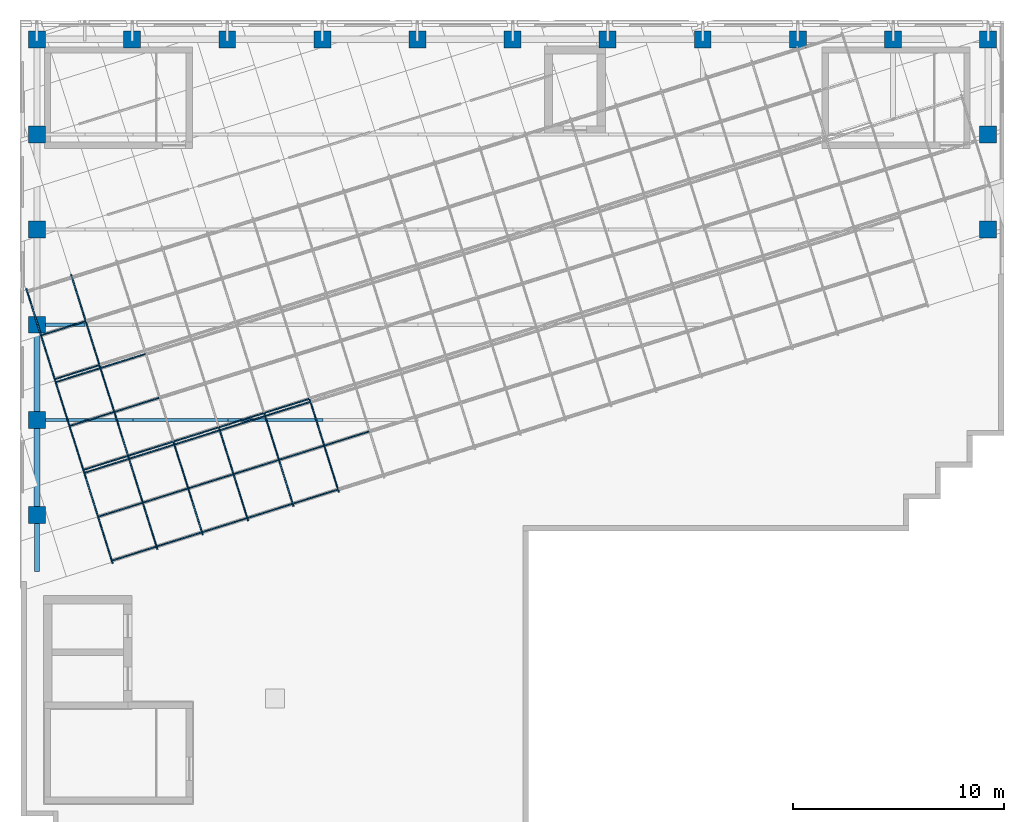
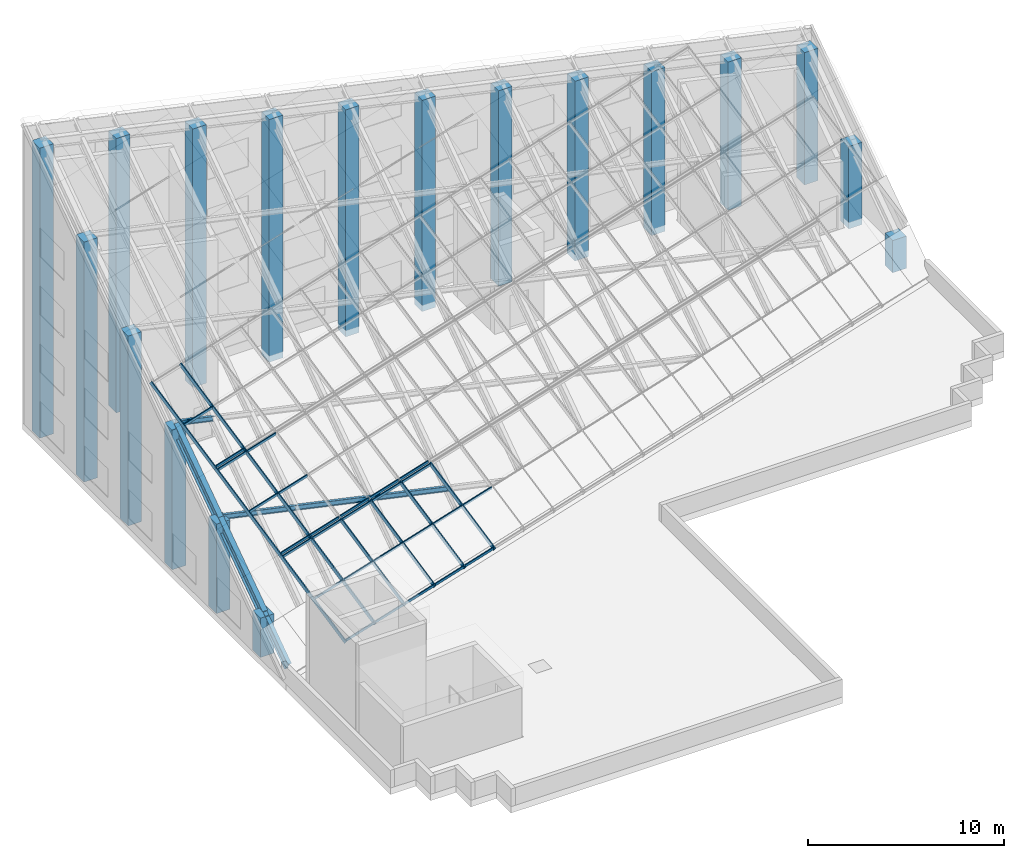
# One storey, part 1 of 14: 45 members, 18 columns, 3 elements without a shape of their own.
"""IFC4 building model written with IfcOpenShell, lengths in metres."""

from ifc_helpers import new_model, si_unit, direction, frame, origin, origin_2d, place, context, subcontext, project, spatial, rectangle, i_section, extrude, material, material_profile, profile_set, type_object, element, aggregate, save


model = new_model("IFC4")

# Units and contexts
model_context = context("Model", 3, precision=1e-05, world=origin(), true_north=direction((0.0, 1.0)))
body_context = subcontext(model_context, "Body", "Model", "MODEL_VIEW")
ifc_project = project(units=[si_unit("LENGTHUNIT", "METRE"), si_unit("AREAUNIT", "SQUARE_METRE"), si_unit("VOLUMEUNIT", "CUBIC_METRE"), si_unit("PLANEANGLEUNIT", "RADIAN"), si_unit("MASSUNIT", "GRAM", prefix="KILO")], contexts=[model_context])

# Site, building, storey
site_placement = place(None, origin())
site = spatial("IfcSite", under=ifc_project, at=site_placement, CompositionType="ELEMENT")
building_placement = place(site_placement, origin())
building = spatial("IfcBuilding", under=site, at=building_placement, Name="Firuza Court", CompositionType="ELEMENT")
storey_placement = place(building_placement, frame((0.0, 0.0, 266.199951171875)))
storey = spatial("IfcBuildingStorey", under=building, at=storey_placement, Name="L68 Crown", CompositionType="ELEMENT", Elevation=266.199951171875)

# Columns
ifc_material_1 = material(Name="Concrete C50/60", Category="concrete")
ifc_material_profile_1 = material_profile(ifc_material_1, rectangle(XDim=0.800048828125, YDim=0.800048828125, at=origin_2d()), Name="RC 800x800")
ifc_profile_set_1 = profile_set([ifc_material_profile_1], Name="Concrete C50/60")
column_type = type_object("IfcColumnType", Name="Tube column RC 800x800 C50/60", PredefinedType="COLUMN", material=ifc_profile_set_1)
column_1_placement = place(storey_placement, frame((0.0, 36.0, -0.39990234375), z_axis=(0.0, 0.0, 1.0), x_axis=(1.0, 0.0, 0.0)))
element("IfcColumn", 1, at=column_1_placement, inside=storey, type_object=column_type, Name="Column C-1M L68", PredefinedType="COLUMN", context=body_context, shape_type="SweptSolid", body=[
    extrude(rectangle(XDim=0.800048828125, YDim=0.800048828125, at=origin_2d()), origin(), (0.0, 0.0, 1.0), 2.451416015625),
])
column_2_placement = place(storey_placement, frame((0.0, 40.5, -0.39990234375), z_axis=(0.0, 0.0, 1.0), x_axis=(1.0, 0.0, 0.0)))
element("IfcColumn", 2, at=column_2_placement, inside=storey, type_object=column_type, Name="Column C-1N L68", PredefinedType="COLUMN", context=body_context, shape_type="SweptSolid", body=[
    extrude(rectangle(XDim=0.800048828125, YDim=0.800048828125, at=origin_2d()), origin(), (0.0, 0.0, 1.0), 5.5703125),
])
column_3_placement = place(storey_placement, frame((0.0, 45.0, -0.39990234375), z_axis=(0.0, 0.0, 1.0), x_axis=(1.0, 0.0, 0.0)))
element("IfcColumn", 3, at=column_3_placement, inside=storey, type_object=column_type, Name="Column C-1P L68", PredefinedType="COLUMN", context=body_context, shape_type="SweptSolid", body=[
    extrude(rectangle(XDim=0.800048828125, YDim=0.800048828125, at=origin_2d()), origin(), (0.0, 0.0, 1.0), 8.689208984375),
])
column_4_placement = place(storey_placement, frame((0.0, 49.5, -0.39990234375), z_axis=(0.0, 0.0, 1.0), x_axis=(1.0, 0.0, 0.0)))
element("IfcColumn", 4, at=column_4_placement, inside=storey, type_object=column_type, Name="Column C-1Q L68", PredefinedType="COLUMN", context=body_context, shape_type="SweptSolid", body=[
    extrude(rectangle(XDim=0.800048828125, YDim=0.800048828125, at=origin_2d()), origin(), (0.0, 0.0, 1.0), 11.80810546875),
])
column_5_placement = place(storey_placement, frame((45.0, 49.5, -0.39990234375), z_axis=(0.0, 0.0, 1.0), x_axis=(1.0, 0.0, 0.0)))
element("IfcColumn", 5, at=column_5_placement, inside=storey, type_object=column_type, Name="Column C-11Q L68", PredefinedType="COLUMN", context=body_context, shape_type="SweptSolid", body=[
    extrude(rectangle(XDim=0.800048828125, YDim=0.800048828125, at=origin_2d()), origin(), (0.0, 0.0, 1.0), 2.00048828125),
])
column_6_placement = place(storey_placement, frame((0.0, 54.0, -0.39990234375), z_axis=(0.0, 0.0, 1.0), x_axis=(1.0, 0.0, 0.0)))
element("IfcColumn", 6, at=column_6_placement, inside=storey, type_object=column_type, Name="Column C-1R L68", PredefinedType="COLUMN", context=body_context, shape_type="SweptSolid", body=[
    extrude(rectangle(XDim=0.800048828125, YDim=0.800048828125, at=origin_2d()), origin(), (0.0, 0.0, 1.0), 14.927001953125),
])
column_7_placement = place(storey_placement, frame((45.0, 54.0, -0.39990234375), z_axis=(0.0, 0.0, 1.0), x_axis=(1.0, 0.0, 0.0)))
element("IfcColumn", 7, at=column_7_placement, inside=storey, type_object=column_type, Name="Column C-11R L68", PredefinedType="COLUMN", context=body_context, shape_type="SweptSolid", body=[
    extrude(rectangle(XDim=0.800048828125, YDim=0.800048828125, at=origin_2d()), origin(), (0.0, 0.0, 1.0), 5.119140625),
])
column_8_placement = place(storey_placement, frame((0.0, 58.5, -0.39990234375), z_axis=(0.0, 0.0, 1.0), x_axis=(1.0, 0.0, 0.0)))
element("IfcColumn", 8, at=column_8_placement, inside=storey, type_object=column_type, Name="Column C-1S L68", PredefinedType="COLUMN", context=body_context, shape_type="SweptSolid", body=[
    extrude(rectangle(XDim=0.800048828125, YDim=0.800048828125, at=origin_2d()), origin(), (0.0, 0.0, 1.0), 18.0458984375),
])
column_9_placement = place(storey_placement, frame((4.5, 58.5, -0.39990234375), z_axis=(0.0, 0.0, 1.0), x_axis=(1.0, 0.0, 0.0)))
element("IfcColumn", 9, at=column_9_placement, inside=storey, type_object=column_type, Name="Column C-2S L68", PredefinedType="COLUMN", context=body_context, shape_type="SweptSolid", body=[
    extrude(rectangle(XDim=0.800048828125, YDim=0.800048828125, at=origin_2d()), origin(), (0.0, 0.0, 1.0), 17.065185546875),
])
column_10_placement = place(storey_placement, frame((9.0, 58.5, -0.39990234375), z_axis=(0.0, 0.0, 1.0), x_axis=(1.0, 0.0, 0.0)))
element("IfcColumn", 10, at=column_10_placement, inside=storey, type_object=column_type, Name="Column C-3S L68", PredefinedType="COLUMN", context=body_context, shape_type="SweptSolid", body=[
    extrude(rectangle(XDim=0.800048828125, YDim=0.800048828125, at=origin_2d()), origin(), (0.0, 0.0, 1.0), 16.084228515625),
])
column_11_placement = place(storey_placement, frame((13.5, 58.5, -0.39990234375), z_axis=(0.0, 0.0, 1.0), x_axis=(1.0, 0.0, 0.0)))
element("IfcColumn", 11, at=column_11_placement, inside=storey, type_object=column_type, Name="Column C-4S L68", PredefinedType="COLUMN", context=body_context, shape_type="SweptSolid", body=[
    extrude(rectangle(XDim=0.800048828125, YDim=0.800048828125, at=origin_2d()), origin(), (0.0, 0.0, 1.0), 15.103515625),
])
column_12_placement = place(storey_placement, frame((18.0, 58.5, -0.39990234375), z_axis=(0.0, 0.0, 1.0), x_axis=(1.0, 0.0, 0.0)))
element("IfcColumn", 12, at=column_12_placement, inside=storey, type_object=column_type, Name="Column C-5S L68", PredefinedType="COLUMN", context=body_context, shape_type="SweptSolid", body=[
    extrude(rectangle(XDim=0.800048828125, YDim=0.800048828125, at=origin_2d()), origin(), (0.0, 0.0, 1.0), 14.122802734375),
])
column_13_placement = place(storey_placement, frame((22.5, 58.5, -0.39990234375), z_axis=(0.0, 0.0, 1.0), x_axis=(1.0, 0.0, 0.0)))
element("IfcColumn", 13, at=column_13_placement, inside=storey, type_object=column_type, Name="Column C-6S L68", PredefinedType="COLUMN", context=body_context, shape_type="SweptSolid", body=[
    extrude(rectangle(XDim=0.800048828125, YDim=0.800048828125, at=origin_2d()), origin(), (0.0, 0.0, 1.0), 13.14208984375),
])
column_14_placement = place(storey_placement, frame((27.0, 58.5, -0.39990234375), z_axis=(0.0, 0.0, 1.0), x_axis=(1.0, 0.0, 0.0)))
element("IfcColumn", 14, at=column_14_placement, inside=storey, type_object=column_type, Name="Column C-7S L68", PredefinedType="COLUMN", context=body_context, shape_type="SweptSolid", body=[
    extrude(rectangle(XDim=0.800048828125, YDim=0.800048828125, at=origin_2d()), origin(), (0.0, 0.0, 1.0), 12.1611328125),
])
column_15_placement = place(storey_placement, frame((31.5, 58.5, -0.39990234375), z_axis=(0.0, 0.0, 1.0), x_axis=(1.0, 0.0, 0.0)))
element("IfcColumn", 15, at=column_15_placement, inside=storey, type_object=column_type, Name="Column C-8S L68", PredefinedType="COLUMN", context=body_context, shape_type="SweptSolid", body=[
    extrude(rectangle(XDim=0.800048828125, YDim=0.800048828125, at=origin_2d()), origin(), (0.0, 0.0, 1.0), 11.180419921875),
])
column_16_placement = place(storey_placement, frame((36.0, 58.5, -0.39990234375), z_axis=(0.0, 0.0, 1.0), x_axis=(1.0, 0.0, 0.0)))
element("IfcColumn", 16, at=column_16_placement, inside=storey, type_object=column_type, Name="Column C-9S L68", PredefinedType="COLUMN", context=body_context, shape_type="SweptSolid", body=[
    extrude(rectangle(XDim=0.800048828125, YDim=0.800048828125, at=origin_2d()), origin(), (0.0, 0.0, 1.0), 10.19970703125),
])
column_17_placement = place(storey_placement, frame((40.5, 58.5, -0.39990234375), z_axis=(0.0, 0.0, 1.0), x_axis=(1.0, 0.0, 0.0)))
element("IfcColumn", 17, at=column_17_placement, inside=storey, type_object=column_type, Name="Column C-10S L68", PredefinedType="COLUMN", context=body_context, shape_type="SweptSolid", body=[
    extrude(rectangle(XDim=0.800048828125, YDim=0.800048828125, at=origin_2d()), origin(), (0.0, 0.0, 1.0), 9.218994140625),
])
column_18_placement = place(storey_placement, frame((45.0, 58.5, -0.39990234375), z_axis=(0.0, 0.0, 1.0), x_axis=(1.0, 0.0, 0.0)))
element("IfcColumn", 18, at=column_18_placement, inside=storey, type_object=column_type, Name="Column C-11S L68", PredefinedType="COLUMN", context=body_context, shape_type="SweptSolid", body=[
    extrude(rectangle(XDim=0.800048828125, YDim=0.800048828125, at=origin_2d()), origin(), (0.0, 0.0, 1.0), 8.238037109375),
])

# Members
ifc_material_2 = material(Name="Steel S355", Category="steel")
ifc_material_profile_2 = material_profile(ifc_material_2, i_section(OverallWidth=0.14990234375, OverallDepth=0.300048828125, WebThickness=0.007080078125, FlangeThickness=0.0107421875, FilletRadius=0.014892578125, at=origin_2d()), Name="IPE 300")
ifc_profile_set_2 = profile_set([ifc_material_profile_2], Name="Steel S355")
member_type_1 = type_object("IfcMemberType", Name="Crown purlin IPE 300 S355", PredefinedType="PURLIN", material=ifc_profile_set_2)
for number, where, z_axis, x_axis, name in (
    (19, (0.0, 40.5, 5.244873046875), (0.97707674371, 0.0, -0.212887380791), (0.0, 1.0, 0.0), "Crown frame purlin"),
    (20, (2.25, 40.5, 4.754638671875), (0.977054686112, 0.0, -0.212988592057), (0.0, 1.0, 0.0), "Crown frame purlin"),
):
    element("IfcMember", number, at=place(storey_placement, frame(where, z_axis=z_axis, x_axis=x_axis)), inside=storey, type_object=member_type_1, Name=name, PredefinedType="PURLIN", context=body_context, shape_type="SweptSolid", body=[
        extrude(i_section(OverallWidth=0.14990234375, OverallDepth=0.300048828125, WebThickness=0.007080078125, FlangeThickness=0.0107421875, FilletRadius=0.014892578125, at=origin_2d()), origin(), (0.0, 0.0, 1.0), 2.302734375),
    ])
for number, where, z_axis, x_axis, name in (
    (21, (4.5, 40.5, 4.26416015625), (0.977065716097, 0.0, -0.212937987281), (0.0, 1.0, 0.0), "Crown frame purlin"),
    (22, (9.0, 40.5, 3.283447265625), (0.977065716097, 0.0, -0.212937987281), (0.0, 1.0, 0.0), "Crown frame purlin"),
):
    element("IfcMember", number, at=place(storey_placement, frame(where, z_axis=z_axis, x_axis=x_axis)), inside=storey, type_object=member_type_1, Name=name, PredefinedType="PURLIN", context=body_context, shape_type="SweptSolid", body=[
        extrude(i_section(OverallWidth=0.14990234375, OverallDepth=0.300048828125, WebThickness=0.007080078125, FlangeThickness=0.0107421875, FilletRadius=0.014892578125, at=origin_2d()), origin(), (0.0, 0.0, 1.0), 4.605712890625),
    ])
member_1_placement = place(storey_placement, frame((0.0, 45.0, 8.36376953125), z_axis=(0.97707674371, 0.0, -0.212887380791), x_axis=(0.0, 1.0, 0.0)))
element("IfcMember", 23, at=member_1_placement, inside=storey, type_object=member_type_1, Name="Crown frame purlin", PredefinedType="PURLIN", context=body_context, shape_type="SweptSolid", body=[
    extrude(i_section(OverallWidth=0.14990234375, OverallDepth=0.300048828125, WebThickness=0.007080078125, FlangeThickness=0.0107421875, FilletRadius=0.014892578125, at=origin_2d()), origin(), (0.0, 0.0, 1.0), 2.302734375),
])
ifc_material_3 = material(Name="Steel S355", Category="steel")
ifc_material_profile_3 = material_profile(ifc_material_3, i_section(OverallWidth=0.219970703125, OverallDepth=0.60009765625, WebThickness=0.011962890625, FlangeThickness=0.01904296875, FilletRadius=0.02392578125, at=origin_2d()), Name="IPE 600")
ifc_profile_set_3 = profile_set([ifc_material_profile_3], Name="Steel S355")
member_type_2 = type_object("IfcMemberType", Name="Crown rafter IPE 600 S355", PredefinedType="RAFTER", material=ifc_profile_set_3)
member_2_placement = place(storey_placement, frame((0.0, 33.489501953125, 0.20263671875), z_axis=(0.0, 0.821892830064, 0.56964214722), x_axis=(-1.0, 0.0, 0.0)))
element("IfcMember", 24, at=member_2_placement, inside=storey, type_object=member_type_2, Name="Crown frame rafter", PredefinedType="RAFTER", context=body_context, shape_type="SweptSolid", body=[
    extrude(i_section(OverallWidth=0.219970703125, OverallDepth=0.60009765625, WebThickness=0.011962890625, FlangeThickness=0.01904296875, FilletRadius=0.02392578125, at=origin_2d()), origin(), (0.0, 0.0, 1.0), 3.054443359375),
])
ifc_material_4 = material(Name="Steel S355", Category="steel")
ifc_material_profile_4 = material_profile(ifc_material_4, i_section(OverallWidth=0.300048828125, OverallDepth=0.60009765625, WebThickness=0.015380859375, FlangeThickness=0.030029296875, FilletRadius=0.027099609375, at=origin_2d()), Name="HE 600 B")
ifc_profile_set_4 = profile_set([ifc_material_profile_4], Name="Steel S355")
member_type_3 = type_object("IfcMemberType", Name="Crown ring beam HE 600 B S355", PredefinedType="MEMBER", material=ifc_profile_set_4)
for number, where, z_axis, x_axis, name in (
    (25, (0.0, 45.0, 8.224365234375), (0.0, -0.821891894139, -0.569643497592), (1.0, 0.0, 0.0), "Crown frame ring beam"),
    (26, (0.0, 40.5, 5.10546875), (0.0, -0.821891894139, -0.569643497592), (1.0, 0.0, 0.0), "Crown frame ring beam"),
):
    element("IfcMember", number, at=place(storey_placement, frame(where, z_axis=z_axis, x_axis=x_axis)), inside=storey, type_object=member_type_3, Name=name, PredefinedType="MEMBER", context=body_context, shape_type="SweptSolid", body=[
        extrude(i_section(OverallWidth=0.300048828125, OverallDepth=0.60009765625, WebThickness=0.015380859375, FlangeThickness=0.030029296875, FilletRadius=0.027099609375, at=origin_2d()), origin(), (0.0, 0.0, 1.0), 5.47509765625),
    ])

# Curtain wall, members
ifc_material_5 = material(Name="Aluminium curtain wall, triple clear glazing", Category="aluminium")
curtain_wall_type = type_object("IfcCurtainWallType", Name="Crown sloped structural glazing CW5", PredefinedType="NOTDEFINED", material=ifc_material_5)
curtain_wall_1_placement = place(storey_placement, origin())
curtain_wall_1 = element("IfcCurtainWall", 27, at=curtain_wall_1_placement, inside=storey, type_object=curtain_wall_type, Name="Crown sloped structural glazing CW5 1.1", PredefinedType="NOTDEFINED")
ifc_material_6 = material(Name="Aluminium EN AW-6060 T66", Category="aluminium")
ifc_material_profile_5 = material_profile(ifc_material_6, rectangle(XDim=0.06005859375, YDim=0.219970703125, at=origin_2d()), Name="Mullion 220 x 60 CW5")
ifc_profile_set_5 = profile_set([ifc_material_profile_5], Name="Aluminium EN AW-6060 T66")
member_type_4 = type_object("IfcMemberType", Name="Mullion 220 x 60 CW5", PredefinedType="MULLION", material=ifc_profile_set_5)
member_3_placement = place(storey_placement, frame((14.26708984375, 37.1357421875, 0.26416015625), z_axis=(-0.242725638095, 0.771762187092, 0.587764741361), x_axis=(-0.953932954767, -0.300019862359, 0.0)))
member_3 = element("IfcMember", 28, at=member_3_placement, type_object=member_type_4, Name="CW5 mullion 14", PredefinedType="MULLION", context=body_context, shape_type="SweptSolid", body=[
    extrude(rectangle(XDim=0.06005859375, YDim=0.219970703125, at=origin_2d()), origin(), (0.0, 0.0, 1.0), 5.562255859375),
])
member_4_placement = place(storey_placement, frame((12.12060546875, 36.460693359375, 0.26416015625), z_axis=(-0.242684330874, 0.771770408711, 0.587771002846), x_axis=(-0.953948480927, -0.299970491443, 0.0)))
member_4 = element("IfcMember", 29, at=member_4_placement, type_object=member_type_4, Name="CW5 mullion 15", PredefinedType="MULLION", context=body_context, shape_type="SweptSolid", body=[
    extrude(rectangle(XDim=0.06005859375, YDim=0.219970703125, at=origin_2d()), origin(), (0.0, 0.0, 1.0), 5.562255859375),
])
member_5_placement = place(storey_placement, frame((9.974365234375, 35.78564453125, 0.26416015625), z_axis=(-0.242717416048, 0.771779935585, 0.587744831518), x_axis=(-0.953937837817, -0.300004335938, 0.0)))
member_5 = element("IfcMember", 30, at=member_5_placement, type_object=member_type_4, Name="CW5 mullion 16", PredefinedType="MULLION", context=body_context, shape_type="SweptSolid", body=[
    extrude(rectangle(XDim=0.06005859375, YDim=0.219970703125, at=origin_2d()), origin(), (0.0, 0.0, 1.0), 5.5625),
])
member_6_placement = place(storey_placement, frame((7.827880859375, 35.11083984375, 0.26416015625), z_axis=(-0.242684330874, 0.771770408711, 0.587771002846), x_axis=(-0.953948480927, -0.299970491443, 0.0)))
member_6 = element("IfcMember", 31, at=member_6_placement, type_object=member_type_4, Name="CW5 mullion 17", PredefinedType="MULLION", context=body_context, shape_type="SweptSolid", body=[
    extrude(rectangle(XDim=0.06005859375, YDim=0.219970703125, at=origin_2d()), origin(), (0.0, 0.0, 1.0), 5.562255859375),
])
member_7_placement = place(storey_placement, frame((5.681396484375, 34.435791015625, 0.26416015625), z_axis=(-0.242684330874, 0.771770408711, 0.587771002846), x_axis=(-0.953948480927, -0.299970491443, 0.0)))
member_7 = element("IfcMember", 32, at=member_7_placement, type_object=member_type_4, Name="CW5 mullion 18", PredefinedType="MULLION", context=body_context, shape_type="SweptSolid", body=[
    extrude(rectangle(XDim=0.06005859375, YDim=0.219970703125, at=origin_2d()), origin(), (0.0, 0.0, 1.0), 5.562255859375),
])
member_8_placement = place(storey_placement, frame((3.563720703125, 33.77001953125, 0.26416015625), z_axis=(-0.242692552065, 0.771752658782, 0.587790914216), x_axis=(-0.953943598647, -0.299986017343, 0.0)))
member_8 = element("IfcMember", 33, at=member_8_placement, type_object=member_type_4, Name="CW5 mullion 19", PredefinedType="MULLION", context=body_context, shape_type="SweptSolid", body=[
    extrude(rectangle(XDim=0.06005859375, YDim=0.219970703125, at=origin_2d()), origin(), (0.0, 0.0, 1.0), 5.56201171875),
])

curtain_wall_2_placement = place(storey_placement, origin())
curtain_wall_2 = element("IfcCurtainWall", 34, at=curtain_wall_2_placement, inside=storey, type_object=curtain_wall_type, Name="Crown sloped structural glazing CW5 2.1", PredefinedType="NOTDEFINED")
member_9_placement = place(storey_placement, frame((4.33154296875, 38.728515625, 3.533447265625), z_axis=(-0.242678069863, 0.771750497813, 0.587799730803), x_axis=(-0.953948480927, -0.299970491443, 0.0)))
member_9 = element("IfcMember", 35, at=member_9_placement, type_object=member_type_4, Name="CW5 mullion 20", PredefinedType="MULLION", context=body_context, shape_type="SweptSolid", body=[
    extrude(rectangle(XDim=0.06005859375, YDim=0.219970703125, at=origin_2d()), origin(), (0.0, 0.0, 1.0), 5.562255859375),
])
member_10_placement = place(storey_placement, frame((2.2138671875, 38.0625, 3.533447265625), z_axis=(-0.242669849677, 0.771768246829, 0.587779820378), x_axis=(-0.95395336245, -0.299954967071, 0.0)))
member_10 = element("IfcMember", 36, at=member_10_placement, type_object=member_type_4, Name="CW5 mullion 21", PredefinedType="MULLION", context=body_context, shape_type="SweptSolid", body=[
    extrude(rectangle(XDim=0.06005859375, YDim=0.219970703125, at=origin_2d()), origin(), (0.0, 0.0, 1.0), 5.5625),
])

curtain_wall_3_placement = place(storey_placement, origin())
curtain_wall_3 = element("IfcCurtainWall", 37, at=curtain_wall_3_placement, inside=storey, type_object=curtain_wall_type, Name="Crown sloped structural glazing CW5 3.1", PredefinedType="NOTDEFINED")
member_11_placement = place(storey_placement, frame((2.981689453125, 43.021240234375, 6.802978515625), z_axis=(-0.242669849677, 0.771768246829, 0.587779820378), x_axis=(-0.95395336245, -0.299954967071, 0.0)))
member_11 = element("IfcMember", 38, at=member_11_placement, type_object=member_type_4, Name="CW5 mullion 18", PredefinedType="MULLION", context=body_context, shape_type="SweptSolid", body=[
    extrude(rectangle(XDim=0.06005859375, YDim=0.219970703125, at=origin_2d()), origin(), (0.0, 0.0, 1.0), 5.5625),
])
member_12_placement = place(storey_placement, frame((0.864013671875, 42.35546875, 6.802978515625), z_axis=(-0.242719376152, 0.771742276831, 0.587793469335), x_axis=(-0.953932954767, -0.300019862359, 0.0)))
member_12 = element("IfcMember", 39, at=member_12_placement, type_object=member_type_4, Name="CW5 mullion 19", PredefinedType="MULLION", context=body_context, shape_type="SweptSolid", body=[
    extrude(rectangle(XDim=0.06005859375, YDim=0.219970703125, at=origin_2d()), origin(), (0.0, 0.0, 1.0), 5.5625),
])

# Member
ifc_material_7 = material(Name="Aluminium EN AW-6060 T66", Category="aluminium")
ifc_material_profile_6 = material_profile(ifc_material_7, rectangle(XDim=0.06005859375, YDim=0.14990234375, at=origin_2d()), Name="Transom 150 x 60 CW5")
ifc_profile_set_6 = profile_set([ifc_material_profile_6], Name="Aluminium EN AW-6060 T66")
member_type_5 = type_object("IfcMemberType", Name="Transom 150 x 60 CW5", PredefinedType="USERDEFINED", material=ifc_profile_set_6)
member_13_placement = place(storey_placement, frame((14.2158203125, 37.1982421875, 0.318603515625), z_axis=(-0.953940860537, -0.299994724285, 0.0), x_axis=(0.299994724285, -0.953940860537, 0.0)))
member_13 = element("IfcMember", 40, at=member_13_placement, type_object=member_type_5, Name="CW5 transom 1.14", ObjectType="TRANSOM", PredefinedType="USERDEFINED", context=body_context, shape_type="SweptSolid", body=[
    extrude(rectangle(XDim=0.06005859375, YDim=0.14990234375, at=origin_2d()), origin(), (0.0, 0.0, 1.0), 2.18994140625),
])

member_14_placement = place(storey_placement, frame((12.069580078125, 36.523193359375, 0.318603515625), z_axis=(-0.953940860537, -0.299994724285, 0.0), x_axis=(0.299994724285, -0.953940860537, 0.0)))
member_14 = element("IfcMember", 41, at=member_14_placement, type_object=member_type_5, Name="CW5 transom 1.15", ObjectType="TRANSOM", PredefinedType="USERDEFINED", context=body_context, shape_type="SweptSolid", body=[
    extrude(rectangle(XDim=0.06005859375, YDim=0.14990234375, at=origin_2d()), origin(), (0.0, 0.0, 1.0), 2.18994140625),
])

member_15_placement = place(storey_placement, frame((9.923095703125, 35.848388671875, 0.318603515625), z_axis=(-0.953940860537, -0.299994724285, 0.0), x_axis=(0.299994724285, -0.953940860537, 0.0)))
member_15 = element("IfcMember", 42, at=member_15_placement, type_object=member_type_5, Name="CW5 transom 1.16", ObjectType="TRANSOM", PredefinedType="USERDEFINED", context=body_context, shape_type="SweptSolid", body=[
    extrude(rectangle(XDim=0.06005859375, YDim=0.14990234375, at=origin_2d()), origin(), (0.0, 0.0, 1.0), 2.18994140625),
])

member_16_placement = place(storey_placement, frame((7.77685546875, 35.17333984375, 0.318603515625), z_axis=(-0.953950891852, -0.299962824255, 0.0), x_axis=(0.299962824255, -0.953950891852, 0.0)))
member_16 = element("IfcMember", 43, at=member_16_placement, type_object=member_type_5, Name="CW5 transom 1.17", ObjectType="TRANSOM", PredefinedType="USERDEFINED", context=body_context, shape_type="SweptSolid", body=[
    extrude(rectangle(XDim=0.06005859375, YDim=0.14990234375, at=origin_2d()), origin(), (0.0, 0.0, 1.0), 2.190185546875),
])

member_17_placement = place(storey_placement, frame((5.63037109375, 34.498291015625, 0.318603515625), z_axis=(-0.953947520719, -0.299973545022, 0.0), x_axis=(0.299973545022, -0.953947520719, 0.0)))
member_17 = element("IfcMember", 44, at=member_17_placement, type_object=member_type_5, Name="CW5 transom 1.18", ObjectType="TRANSOM", PredefinedType="USERDEFINED", context=body_context, shape_type="SweptSolid", body=[
    extrude(rectangle(XDim=0.06005859375, YDim=0.14990234375, at=origin_2d()), origin(), (0.0, 0.0, 1.0), 2.159912109375),
])

member_18_placement = place(storey_placement, frame((15.709716796875, 39.947998046875, 1.89892578125), z_axis=(-0.953940860537, -0.299994724285, 0.0), x_axis=(0.299994724285, -0.953940860537, 0.0)))
member_18 = element("IfcMember", 45, at=member_18_placement, type_object=member_type_5, Name="CW5 transom 2.13", ObjectType="TRANSOM", PredefinedType="USERDEFINED", context=body_context, shape_type="SweptSolid", body=[
    extrude(rectangle(XDim=0.06005859375, YDim=0.14990234375, at=origin_2d()), origin(), (0.0, 0.0, 1.0), 2.18994140625),
])

member_19_placement = place(storey_placement, frame((13.5634765625, 39.27294921875, 1.89892578125), z_axis=(-0.953972759463, -0.299893271352, 0.0), x_axis=(0.299893271352, -0.953972759463, 0.0)))
member_19 = element("IfcMember", 46, at=member_19_placement, type_object=member_type_5, Name="CW5 transom 2.14", ObjectType="TRANSOM", PredefinedType="USERDEFINED", context=body_context, shape_type="SweptSolid", body=[
    extrude(rectangle(XDim=0.06005859375, YDim=0.14990234375, at=origin_2d()), origin(), (0.0, 0.0, 1.0), 2.18994140625),
])

member_20_placement = place(storey_placement, frame((11.4169921875, 38.59814453125, 1.89892578125), z_axis=(-0.953940860537, -0.299994724285, 0.0), x_axis=(0.299994724285, -0.953940860537, 0.0)))
member_20 = element("IfcMember", 47, at=member_20_placement, type_object=member_type_5, Name="CW5 transom 2.15", ObjectType="TRANSOM", PredefinedType="USERDEFINED", context=body_context, shape_type="SweptSolid", body=[
    extrude(rectangle(XDim=0.06005859375, YDim=0.14990234375, at=origin_2d()), origin(), (0.0, 0.0, 1.0), 2.18994140625),
])

member_21_placement = place(storey_placement, frame((9.270751953125, 37.923095703125, 1.89892578125), z_axis=(-0.953940860537, -0.299994724285, 0.0), x_axis=(0.299994724285, -0.953940860537, 0.0)))
member_21 = element("IfcMember", 48, at=member_21_placement, type_object=member_type_5, Name="CW5 transom 2.16", ObjectType="TRANSOM", PredefinedType="USERDEFINED", context=body_context, shape_type="SweptSolid", body=[
    extrude(rectangle(XDim=0.06005859375, YDim=0.14990234375, at=origin_2d()), origin(), (0.0, 0.0, 1.0), 2.18994140625),
])

member_22_placement = place(storey_placement, frame((7.124267578125, 37.248291015625, 1.89892578125), z_axis=(-0.953940860537, -0.299994724285, 0.0), x_axis=(0.299994724285, -0.953940860537, 0.0)))
member_22 = element("IfcMember", 49, at=member_22_placement, type_object=member_type_5, Name="CW5 transom 2.17", ObjectType="TRANSOM", PredefinedType="USERDEFINED", context=body_context, shape_type="SweptSolid", body=[
    extrude(rectangle(XDim=0.06005859375, YDim=0.14990234375, at=origin_2d()), origin(), (0.0, 0.0, 1.0), 2.18994140625),
])

member_23_placement = place(storey_placement, frame((4.977783203125, 36.5732421875, 1.89892578125), z_axis=(-0.953937348442, -0.300005892021, 0.0), x_axis=(0.300005892021, -0.953937348442, 0.0)))
member_23 = element("IfcMember", 50, at=member_23_placement, type_object=member_type_5, Name="CW5 transom 2.18", ObjectType="TRANSOM", PredefinedType="USERDEFINED", context=body_context, shape_type="SweptSolid", body=[
    extrude(rectangle(XDim=0.06005859375, YDim=0.14990234375, at=origin_2d()), origin(), (0.0, 0.0, 1.0), 2.15966796875),
])

member_24_placement = place(storey_placement, frame((12.910888671875, 41.347900390625, 3.47900390625), z_axis=(-0.953940860537, -0.299994724285, 0.0), x_axis=(0.299994724285, -0.953940860537, 0.0)))
member_24 = element("IfcMember", 51, at=member_24_placement, type_object=member_type_5, Name="CW5 transom 3.14", ObjectType="TRANSOM", PredefinedType="USERDEFINED", context=body_context, shape_type="SweptSolid", body=[
    extrude(rectangle(XDim=0.06005859375, YDim=0.14990234375, at=origin_2d()), origin(), (0.0, 0.0, 1.0), 2.18994140625),
])

member_25_placement = place(storey_placement, frame((10.7646484375, 40.6728515625, 3.47900390625), z_axis=(-0.953940860537, -0.299994724285, 0.0), x_axis=(0.299994724285, -0.953940860537, 0.0)))
member_25 = element("IfcMember", 52, at=member_25_placement, type_object=member_type_5, Name="CW5 transom 3.15", ObjectType="TRANSOM", PredefinedType="USERDEFINED", context=body_context, shape_type="SweptSolid", body=[
    extrude(rectangle(XDim=0.06005859375, YDim=0.14990234375, at=origin_2d()), origin(), (0.0, 0.0, 1.0), 2.18994140625),
])

member_26_placement = place(storey_placement, frame((8.6181640625, 39.997802734375, 3.47900390625), z_axis=(-0.953972759463, -0.299893271352, 0.0), x_axis=(0.299893271352, -0.953972759463, 0.0)))
member_26 = element("IfcMember", 53, at=member_26_placement, type_object=member_type_5, Name="CW5 transom 3.16", ObjectType="TRANSOM", PredefinedType="USERDEFINED", context=body_context, shape_type="SweptSolid", body=[
    extrude(rectangle(XDim=0.06005859375, YDim=0.14990234375, at=origin_2d()), origin(), (0.0, 0.0, 1.0), 2.18994140625),
])

member_27_placement = place(storey_placement, frame((6.471923828125, 39.322998046875, 3.47900390625), z_axis=(-0.953940860537, -0.299994724285, 0.0), x_axis=(0.299994724285, -0.953940860537, 0.0)))
member_27 = element("IfcMember", 54, at=member_27_placement, type_object=member_type_5, Name="CW5 transom 3.17", ObjectType="TRANSOM", PredefinedType="USERDEFINED", context=body_context, shape_type="SweptSolid", body=[
    extrude(rectangle(XDim=0.06005859375, YDim=0.14990234375, at=origin_2d()), origin(), (0.0, 0.0, 1.0), 2.18994140625),
])

member_28_placement = place(storey_placement, frame((4.325439453125, 38.64794921875, 3.47900390625), z_axis=(-0.953947520719, -0.299973545022, 0.0), x_axis=(0.299973545022, -0.953947520719, 0.0)))
member_28 = element("IfcMember", 55, at=member_28_placement, type_object=member_type_5, Name="CW5 transom 3.18", ObjectType="TRANSOM", PredefinedType="USERDEFINED", context=body_context, shape_type="SweptSolid", body=[
    extrude(rectangle(XDim=0.06005859375, YDim=0.14990234375, at=origin_2d()), origin(), (0.0, 0.0, 1.0), 2.159912109375),
])

aggregate(curtain_wall_1, [member_3, member_4, member_5, member_6, member_7, member_8, member_13, member_14, member_15, member_16, member_17, member_18, member_19, member_20, member_21, member_22, member_23, member_24, member_25, member_26, member_27, member_28])

member_29_placement = place(storey_placement, frame((12.865966796875, 41.490966796875, 3.588134765625), z_axis=(-0.953940860537, -0.299994724285, 0.0), x_axis=(0.299994724285, -0.953940860537, 0.0)))
member_29 = element("IfcMember", 56, at=member_29_placement, type_object=member_type_5, Name="CW5 transom 1.16", ObjectType="TRANSOM", PredefinedType="USERDEFINED", context=body_context, shape_type="SweptSolid", body=[
    extrude(rectangle(XDim=0.06005859375, YDim=0.14990234375, at=origin_2d()), origin(), (0.0, 0.0, 1.0), 2.18994140625),
])

member_30_placement = place(storey_placement, frame((10.719482421875, 40.81591796875, 3.588134765625), z_axis=(-0.95393082602, -0.300026630765, 0.0), x_axis=(0.300026630765, -0.95393082602, 0.0)))
member_30 = element("IfcMember", 57, at=member_30_placement, type_object=member_type_5, Name="CW5 transom 1.17", ObjectType="TRANSOM", PredefinedType="USERDEFINED", context=body_context, shape_type="SweptSolid", body=[
    extrude(rectangle(XDim=0.06005859375, YDim=0.14990234375, at=origin_2d()), origin(), (0.0, 0.0, 1.0), 2.189697265625),
])

member_31_placement = place(storey_placement, frame((8.5732421875, 40.14111328125, 3.588134765625), z_axis=(-0.953940860537, -0.299994724285, 0.0), x_axis=(0.299994724285, -0.953940860537, 0.0)))
member_31 = element("IfcMember", 58, at=member_31_placement, type_object=member_type_5, Name="CW5 transom 1.18", ObjectType="TRANSOM", PredefinedType="USERDEFINED", context=body_context, shape_type="SweptSolid", body=[
    extrude(rectangle(XDim=0.06005859375, YDim=0.14990234375, at=origin_2d()), origin(), (0.0, 0.0, 1.0), 2.18994140625),
])

member_32_placement = place(storey_placement, frame((6.427001953125, 39.466064453125, 3.588134765625), z_axis=(-0.953950891852, -0.299962824255, 0.0), x_axis=(0.299962824255, -0.953950891852, 0.0)))
member_32 = element("IfcMember", 59, at=member_32_placement, type_object=member_type_5, Name="CW5 transom 1.19", ObjectType="TRANSOM", PredefinedType="USERDEFINED", context=body_context, shape_type="SweptSolid", body=[
    extrude(rectangle(XDim=0.06005859375, YDim=0.14990234375, at=origin_2d()), origin(), (0.0, 0.0, 1.0), 2.190185546875),
])

member_33_placement = place(storey_placement, frame((4.280517578125, 38.791015625, 3.588134765625), z_axis=(-0.953947520719, -0.299973545022, 0.0), x_axis=(0.299973545022, -0.953947520719, 0.0)))
member_33 = element("IfcMember", 60, at=member_33_placement, type_object=member_type_5, Name="CW5 transom 1.20", ObjectType="TRANSOM", PredefinedType="USERDEFINED", context=body_context, shape_type="SweptSolid", body=[
    extrude(rectangle(XDim=0.06005859375, YDim=0.14990234375, at=origin_2d()), origin(), (0.0, 0.0, 1.0), 2.159912109375),
])

member_34_placement = place(storey_placement, frame((5.7744140625, 41.541015625, 5.168212890625), z_axis=(-0.953908952955, -0.300096167039, 0.0), x_axis=(0.300096167039, -0.953908952955, 0.0)))
member_34 = element("IfcMember", 61, at=member_34_placement, type_object=member_type_5, Name="CW5 transom 2.19", ObjectType="TRANSOM", PredefinedType="USERDEFINED", context=body_context, shape_type="SweptSolid", body=[
    extrude(rectangle(XDim=0.06005859375, YDim=0.14990234375, at=origin_2d()), origin(), (0.0, 0.0, 1.0), 2.18994140625),
])

member_35_placement = place(storey_placement, frame((3.6279296875, 40.865966796875, 5.168212890625), z_axis=(-0.953947520719, -0.299973545022, 0.0), x_axis=(0.299973545022, -0.953947520719, 0.0)))
member_35 = element("IfcMember", 62, at=member_35_placement, type_object=member_type_5, Name="CW5 transom 2.20", ObjectType="TRANSOM", PredefinedType="USERDEFINED", context=body_context, shape_type="SweptSolid", body=[
    extrude(rectangle(XDim=0.06005859375, YDim=0.14990234375, at=origin_2d()), origin(), (0.0, 0.0, 1.0), 2.159912109375),
])

member_36_placement = place(storey_placement, frame((5.121826171875, 43.61572265625, 6.74853515625), z_axis=(-0.953940860537, -0.299994724285, 0.0), x_axis=(0.299994724285, -0.953940860537, 0.0)))
member_36 = element("IfcMember", 63, at=member_36_placement, type_object=member_type_5, Name="CW5 transom 3.19", ObjectType="TRANSOM", PredefinedType="USERDEFINED", context=body_context, shape_type="SweptSolid", body=[
    extrude(rectangle(XDim=0.06005859375, YDim=0.14990234375, at=origin_2d()), origin(), (0.0, 0.0, 1.0), 2.18994140625),
])

member_37_placement = place(storey_placement, frame((2.9755859375, 42.94091796875, 6.74853515625), z_axis=(-0.953915172588, -0.300076396116, 0.0), x_axis=(0.300076396116, -0.953915172588, 0.0)))
member_37 = element("IfcMember", 64, at=member_37_placement, type_object=member_type_5, Name="CW5 transom 3.20", ObjectType="TRANSOM", PredefinedType="USERDEFINED", context=body_context, shape_type="SweptSolid", body=[
    extrude(rectangle(XDim=0.06005859375, YDim=0.14990234375, at=origin_2d()), origin(), (0.0, 0.0, 1.0), 2.16015625),
])

aggregate(curtain_wall_2, [member_9, member_10, member_29, member_30, member_31, member_32, member_33, member_34, member_35, member_36, member_37])

member_38_placement = place(storey_placement, frame((2.9306640625, 43.083984375, 6.857421875), z_axis=(-0.953915172588, -0.300076396116, 0.0), x_axis=(0.300076396116, -0.953915172588, 0.0)))
member_38 = element("IfcMember", 65, at=member_38_placement, type_object=member_type_5, Name="CW5 transom 1.18", ObjectType="TRANSOM", PredefinedType="USERDEFINED", context=body_context, shape_type="SweptSolid", body=[
    extrude(rectangle(XDim=0.06005859375, YDim=0.14990234375, at=origin_2d()), origin(), (0.0, 0.0, 1.0), 2.16015625),
])

member_39_placement = place(storey_placement, frame((2.278076171875, 45.15869140625, 8.437744140625), z_axis=(-0.953947520719, -0.299973545022, 0.0), x_axis=(0.299973545022, -0.953947520719, 0.0)))
member_39 = element("IfcMember", 66, at=member_39_placement, type_object=member_type_5, Name="CW5 transom 2.18", ObjectType="TRANSOM", PredefinedType="USERDEFINED", context=body_context, shape_type="SweptSolid", body=[
    extrude(rectangle(XDim=0.06005859375, YDim=0.14990234375, at=origin_2d()), origin(), (0.0, 0.0, 1.0), 2.159912109375),
])

aggregate(curtain_wall_3, [member_11, member_12, member_38, member_39])

save(model, "model.ifc")
